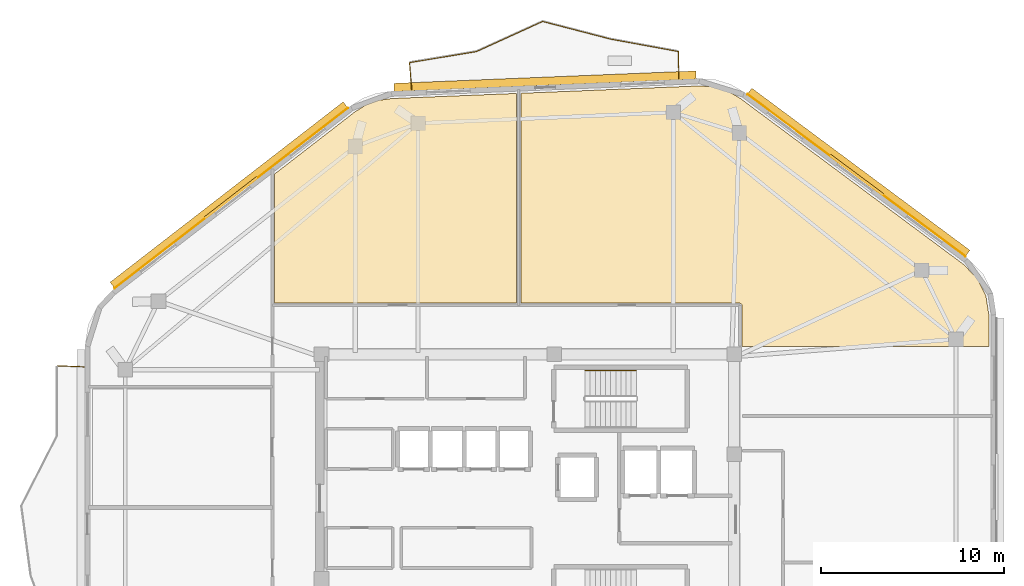
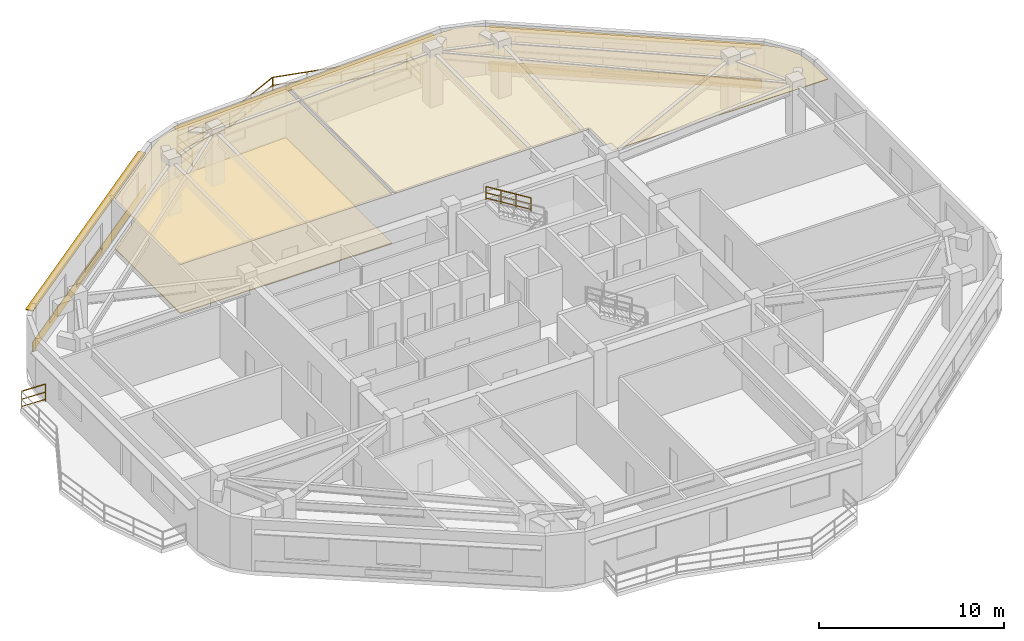
# One storey, part 9 of 9: 8 railings, 5 coverings, 5 shading devices.
"""IFC4 building model written with IfcOpenShell, lengths in metres."""

from ifc_helpers import new_model, si_unit, direction, frame, origin, origin_2d, place, context, subcontext, project, spatial, polyline, rectangle, outline, extrude, material, layer, layer_set, type_object, element, save


model = new_model("IFC4")

# Units and contexts
model_context = context("Model", 3, precision=1e-05, world=origin(), true_north=direction((0.0, 1.0)))
body_context = subcontext(model_context, "Body", "Model", "MODEL_VIEW")
ifc_project = project(units=[si_unit("LENGTHUNIT", "METRE"), si_unit("AREAUNIT", "SQUARE_METRE"), si_unit("VOLUMEUNIT", "CUBIC_METRE"), si_unit("PLANEANGLEUNIT", "RADIAN"), si_unit("MASSUNIT", "GRAM", prefix="KILO")], contexts=[model_context])

# Site, building, storey
site_placement = place(None, origin())
site = spatial("IfcSite", under=ifc_project, at=site_placement, CompositionType="ELEMENT")
building_placement = place(site_placement, origin())
building = spatial("IfcBuilding", under=site, at=building_placement, Name="Zulverin Broadcast Headquarters", CompositionType="ELEMENT")
storey_placement = place(building_placement, frame((0.0, 0.0, 304.800048828125)))
storey = spatial("IfcBuildingStorey", under=building, at=storey_placement, Name="L78", CompositionType="ELEMENT", Elevation=304.800048828125)

# Coverings
ifc_material_1 = material(Name="Perforated pale-metal acoustic baffle ceiling", Category="aluminium")
ifc_layer_1 = layer(ifc_material_1, 0.0400390625, Name="Perforated pale-metal acoustic baffle ceiling", Category="aluminium")
ifc_layer_set_1 = layer_set([ifc_layer_1], Name="Perforated pale-metal acoustic baffle ceiling")
covering_type_1 = type_object("IfcCoveringType", Name="COV-CEIL-ACOU", PredefinedType="CEILING", material=ifc_layer_set_1)
covering_1_placement = place(storey_placement, frame((0.0, 0.0, 3.219970703125)))
element("IfcCovering", 1, at=covering_1_placement, inside=storey, type_object=covering_type_1, Name="L78 Acoustic Baffle Ceiling 01", PredefinedType="CEILING", context=body_context, shape_type="SweptSolid", body=[
    extrude(outline(polyline([(36.3798828125, 35.8720703125), (36.3798828125, 47.33203125), (29.535888671875, 47.052001953125), (28.823974609375, 46.947998046875), (28.16796875, 46.7080078125), (27.555908203125, 46.327880859375), (23.16796875, 42.931884765625), (23.16796875, 35.8720703125), (36.3798828125, 35.8720703125)])), origin(), (0.0, 0.0, 1.0), 0.0400390625),
])
covering_2_placement = place(storey_placement, frame((0.0, 0.0, 3.219970703125)))
element("IfcCovering", 2, at=covering_2_placement, inside=storey, type_object=covering_type_1, Name="L78 Acoustic Baffle Ceiling 02", PredefinedType="CEILING", context=body_context, shape_type="SweptSolid", body=[
    extrude(outline(polyline([(48.60791015625, 47.06396484375), (47.927978515625, 47.4599609375), (47.19189453125, 47.68408203125), (46.404052734375, 47.743896484375), (36.6201171875, 47.340087890625), (36.6201171875, 35.8720703125), (48.56005859375, 35.8720703125), (48.572021484375, 35.8720703125), (48.583984375, 35.867919921875), (48.592041015625, 35.867919921875), (48.60009765625, 35.864013671875), (48.60791015625, 35.864013671875), (48.6201171875, 35.860107421875), (48.6279296875, 35.85595703125), (48.635986328125, 35.85205078125), (48.64794921875, 35.843994140625), (48.659912109375, 35.8359375), (48.66796875, 35.827880859375), (48.676025390625, 35.820068359375), (48.68408203125, 35.81201171875), (48.69189453125, 35.800048828125), (48.699951171875, 35.7880859375), (48.7041015625, 35.780029296875), (48.7080078125, 35.77197265625), (48.7119140625, 35.763916015625), (48.716064453125, 35.751953125), (48.716064453125, 35.743896484375), (48.719970703125, 35.73193359375), (48.719970703125, 35.719970703125), (48.719970703125, 33.5), (62.199951171875, 33.5), (62.199951171875, 35.219970703125), (62.031982421875, 36.2880859375), (61.56005859375, 37.22412109375), (60.803955078125, 37.99609375), (48.60791015625, 47.06396484375)])), origin(), (0.0, 0.0, 1.0), 0.0400390625),
])
ifc_material_2 = material(Name="Brushed pale-aluminium rainscreen cladding", Category="aluminium")
ifc_layer_2 = layer(ifc_material_2, 0.0400390625, Name="Brushed pale-aluminium rainscreen cladding", Category="aluminium")
ifc_layer_set_2 = layer_set([ifc_layer_2], Name="Brushed pale-aluminium rainscreen cladding")
covering_type_2 = type_object("IfcCoveringType", Name="COV-CLAD-PALE", PredefinedType="CLADDING", material=ifc_layer_set_2)
covering_3_placement = place(storey_placement, frame((54.955322265625, 42.8564453125, 0.054931640625), z_axis=(0.0, 0.0, 1.0), x_axis=(-0.802486437986, 0.596670358614, 0.0)))
element("IfcCovering", 3, at=covering_3_placement, inside=storey, type_object=covering_type_2, Name="L78 Brushed Pale-Aluminium Spandrel Cladding 4", PredefinedType="CLADDING", context=body_context, shape_type="SweptSolid", body=[
    extrude(rectangle(XDim=14.84765625, YDim=0.0400390625, at=origin_2d()), origin(), (0.0, 0.0, 1.0), 0.64990234375),
])
covering_4_placement = place(storey_placement, frame((20.795654296875, 41.61328125, 0.054931640625), z_axis=(0.0, 0.0, 1.0), x_axis=(-0.790792140634, -0.612084790132, 0.0)))
element("IfcCovering", 4, at=covering_4_placement, inside=storey, type_object=covering_type_2, Name="L78 Brushed Pale-Aluminium Spandrel Cladding 6", PredefinedType="CLADDING", context=body_context, shape_type="SweptSolid", body=[
    extrude(rectangle(XDim=16.109130859375, YDim=0.0400390625, at=origin_2d()), origin(), (0.0, 0.0, 1.0), 0.64990234375),
])
ifc_material_3 = material(Name="Anti-static broadcast raised access flooring", Category="stone")
ifc_layer_3 = layer(ifc_material_3, 0.050048828125, Name="Anti-static broadcast raised access flooring", Category="stone")
ifc_layer_set_3 = layer_set([ifc_layer_3], Name="Anti-static broadcast raised access flooring")
covering_type_3 = type_object("IfcCoveringType", Name="COV-FLR-RAISED", PredefinedType="FLOORING", material=ifc_layer_set_3)
covering_5_placement = place(storey_placement, origin())
element("IfcCovering", 5, at=covering_5_placement, inside=storey, type_object=covering_type_3, Name="L78 Broadcast Raised Access Flooring 01", PredefinedType="FLOORING", context=body_context, shape_type="SweptSolid", body=[
    extrude(outline(polyline([(36.3798828125, 35.8720703125), (36.3798828125, 47.33203125), (29.535888671875, 47.052001953125), (28.823974609375, 46.947998046875), (28.16796875, 46.7080078125), (27.555908203125, 46.327880859375), (23.16796875, 42.931884765625), (23.16796875, 35.8720703125), (36.3798828125, 35.8720703125)])), origin(), (0.0, 0.0, 1.0), 0.050048828125),
])

# Railings
ifc_material_4 = material(Name="Brushed stainless steel & laminated glass balustrade", Category="steel")
railing_type_1 = type_object("IfcRailingType", Name="RL-GUARD-1150", PredefinedType="GUARDRAIL", material=ifc_material_4)
railing_1_placement = place(storey_placement, frame((45.247314453125, 48.13720703125, 0.0)))
element("IfcRailing", 6, at=railing_1_placement, inside=storey, type_object=railing_type_1, Name="L78 Vertical-Forest Balcony Guardrail BAL_N Segment 01", PredefinedType="GUARDRAIL", context=body_context, shape_type="SweptSolid", body=[
    extrude(rectangle(XDim=0.048095703125, YDim=0.048095703125, at=origin_2d()), frame((0.0, 0.0, 1.1259765625), z_axis=(-0.000499500437, 0.99999987525, 0.0), x_axis=(-0.99999987525, -0.000499500437, 0.0)), (0.0, 0.0, 1.0), 1.46630859375),
    extrude(rectangle(XDim=0.0419921875, YDim=0.0419921875, at=origin_2d()), frame((0.0, 0.0, 0.597900390625), z_axis=(-0.000499500437, 0.99999987525, 0.0), x_axis=(-0.99999987525, -0.000499500437, 0.0)), (0.0, 0.0, 1.0), 1.46630859375),
    extrude(rectangle(XDim=0.0419921875, YDim=0.0419921875, at=origin_2d()), frame((0.0, 0.0, 0.1201171875), z_axis=(-0.000499500437, 0.99999987525, 0.0), x_axis=(-0.99999987525, -0.000499500437, 0.0)), (0.0, 0.0, 1.0), 1.46630859375),
    extrude(rectangle(XDim=0.0419921875, YDim=0.0419921875, at=origin_2d()), origin(), (0.0, 0.0, 1.0), 1.101806640625),
    extrude(rectangle(XDim=0.0419921875, YDim=0.0419921875, at=origin_2d()), frame((-0.000732421875, 1.46630859375, 0.0)), (0.0, 0.0, 1.0), 1.101806640625),
])
railing_2_placement = place(storey_placement, frame((45.231689453125, 49.62109375, 0.0)))
element("IfcRailing", 7, at=railing_2_placement, inside=storey, type_object=railing_type_1, Name="L78 Vertical-Forest Balcony Guardrail BAL_N Segment 02", PredefinedType="GUARDRAIL", context=body_context, shape_type="SweptSolid", body=[
    extrude(rectangle(XDim=0.048095703125, YDim=0.048095703125, at=origin_2d()), frame((0.0, 0.0, 1.1259765625), z_axis=(-0.983606942965, 0.180325765634, 0.0), x_axis=(-0.180325765634, -0.983606942965, 0.0)), (0.0, 0.0, 1.0), 3.743408203125),
    extrude(rectangle(XDim=0.0419921875, YDim=0.0419921875, at=origin_2d()), frame((0.0, 0.0, 0.597900390625), z_axis=(-0.983606942965, 0.180325765634, 0.0), x_axis=(-0.180325765634, -0.983606942965, 0.0)), (0.0, 0.0, 1.0), 3.743408203125),
    extrude(rectangle(XDim=0.0419921875, YDim=0.0419921875, at=origin_2d()), frame((0.0, 0.0, 0.1201171875), z_axis=(-0.983606942965, 0.180325765634, 0.0), x_axis=(-0.180325765634, -0.983606942965, 0.0)), (0.0, 0.0, 1.0), 3.743408203125),
    extrude(rectangle(XDim=0.0419921875, YDim=0.0419921875, at=origin_2d()), origin(), (0.0, 0.0, 1.0), 1.101806640625),
    extrude(rectangle(XDim=0.0419921875, YDim=0.0419921875, at=origin_2d()), frame((-1.841064453125, 0.33740234375, 0.0)), (0.0, 0.0, 1.0), 1.101806640625),
    extrude(rectangle(XDim=0.0419921875, YDim=0.0419921875, at=origin_2d()), frame((-3.68212890625, 0.675048828125, 0.0)), (0.0, 0.0, 1.0), 1.101806640625),
])
railing_3_placement = place(storey_placement, frame((41.520263671875, 50.302734375, 0.0)))
element("IfcRailing", 8, at=railing_3_placement, inside=storey, type_object=railing_type_1, Name="L78 Vertical-Forest Balcony Guardrail BAL_N Segment 03", PredefinedType="GUARDRAIL", context=body_context, shape_type="SweptSolid", body=[
    extrude(rectangle(XDim=0.048095703125, YDim=0.048095703125, at=origin_2d()), frame((0.0, 0.0, 1.1259765625), z_axis=(-0.968002653238, 0.250939959602, 0.0), x_axis=(-0.250939959602, -0.968002653238, 0.0)), (0.0, 0.0, 1.0), 3.816650390625),
    extrude(rectangle(XDim=0.0419921875, YDim=0.0419921875, at=origin_2d()), frame((0.0, 0.0, 0.597900390625), z_axis=(-0.968002653238, 0.250939959602, 0.0), x_axis=(-0.250939959602, -0.968002653238, 0.0)), (0.0, 0.0, 1.0), 3.816650390625),
    extrude(rectangle(XDim=0.0419921875, YDim=0.0419921875, at=origin_2d()), frame((0.0, 0.0, 0.1201171875), z_axis=(-0.968002653238, 0.250939959602, 0.0), x_axis=(-0.250939959602, -0.968002653238, 0.0)), (0.0, 0.0, 1.0), 3.816650390625),
    extrude(rectangle(XDim=0.0419921875, YDim=0.0419921875, at=origin_2d()), origin(), (0.0, 0.0, 1.0), 1.101806640625),
    extrude(rectangle(XDim=0.0419921875, YDim=0.0419921875, at=origin_2d()), frame((-1.84716796875, 0.47900390625, 0.0)), (0.0, 0.0, 1.0), 1.101806640625),
    extrude(rectangle(XDim=0.0419921875, YDim=0.0419921875, at=origin_2d()), frame((-3.694580078125, 0.957763671875, 0.0)), (0.0, 0.0, 1.0), 1.101806640625),
])
railing_4_placement = place(storey_placement, frame((37.79736328125, 51.25830078125, 0.0)))
element("IfcRailing", 9, at=railing_4_placement, inside=storey, type_object=railing_type_1, Name="L78 Vertical-Forest Balcony Guardrail BAL_N Segment 04", PredefinedType="GUARDRAIL", context=body_context, shape_type="SweptSolid", body=[
    extrude(rectangle(XDim=0.048095703125, YDim=0.048095703125, at=origin_2d()), frame((0.0, 0.0, 1.1259765625), z_axis=(-0.910292238075, -0.413966232077, 0.0), x_axis=(0.413966232077, -0.910292238075, 0.0)), (0.0, 0.0, 1.0), 3.942626953125),
    extrude(rectangle(XDim=0.0419921875, YDim=0.0419921875, at=origin_2d()), frame((0.0, 0.0, 0.597900390625), z_axis=(-0.910292238075, -0.413966232077, 0.0), x_axis=(0.413966232077, -0.910292238075, 0.0)), (0.0, 0.0, 1.0), 3.942626953125),
    extrude(rectangle(XDim=0.0419921875, YDim=0.0419921875, at=origin_2d()), frame((0.0, 0.0, 0.1201171875), z_axis=(-0.910292238075, -0.413966232077, 0.0), x_axis=(0.413966232077, -0.910292238075, 0.0)), (0.0, 0.0, 1.0), 3.942626953125),
    extrude(rectangle(XDim=0.0419921875, YDim=0.0419921875, at=origin_2d()), origin(), (0.0, 0.0, 1.0), 1.101806640625),
    extrude(rectangle(XDim=0.0419921875, YDim=0.0419921875, at=origin_2d()), frame((-1.79443359375, -0.81591796875, 0.0)), (0.0, 0.0, 1.0), 1.101806640625),
    extrude(rectangle(XDim=0.0419921875, YDim=0.0419921875, at=origin_2d()), frame((-3.5888671875, -1.632080078125, 0.0)), (0.0, 0.0, 1.0), 1.101806640625),
])
railing_5_placement = place(storey_placement, frame((34.179931640625, 49.617431640625, 0.0)))
element("IfcRailing", 10, at=railing_5_placement, inside=storey, type_object=railing_type_1, Name="L78 Vertical-Forest Balcony Guardrail BAL_N Segment 05", PredefinedType="GUARDRAIL", context=body_context, shape_type="SweptSolid", body=[
    extrude(rectangle(XDim=0.048095703125, YDim=0.048095703125, at=origin_2d()), frame((0.0, 0.0, 1.1259765625), z_axis=(-0.986551305382, -0.163451894602, 0.0), x_axis=(0.163451894602, -0.986551305382, 0.0)), (0.0, 0.0, 1.0), 3.678955078125),
    extrude(rectangle(XDim=0.0419921875, YDim=0.0419921875, at=origin_2d()), frame((0.0, 0.0, 0.597900390625), z_axis=(-0.986551305382, -0.163451894602, 0.0), x_axis=(0.163451894602, -0.986551305382, 0.0)), (0.0, 0.0, 1.0), 3.678955078125),
    extrude(rectangle(XDim=0.0419921875, YDim=0.0419921875, at=origin_2d()), frame((0.0, 0.0, 0.1201171875), z_axis=(-0.986551305382, -0.163451894602, 0.0), x_axis=(0.163451894602, -0.986551305382, 0.0)), (0.0, 0.0, 1.0), 3.678955078125),
    extrude(rectangle(XDim=0.0419921875, YDim=0.0419921875, at=origin_2d()), origin(), (0.0, 0.0, 1.0), 1.101806640625),
    extrude(rectangle(XDim=0.0419921875, YDim=0.0419921875, at=origin_2d()), frame((-1.814697265625, -0.30078125, 0.0)), (0.0, 0.0, 1.0), 1.101806640625),
    extrude(rectangle(XDim=0.0419921875, YDim=0.0419921875, at=origin_2d()), frame((-3.62939453125, -0.601318359375, 0.0)), (0.0, 0.0, 1.0), 1.101806640625),
])
railing_6_placement = place(storey_placement, frame((30.537109375, 48.998779296875, 0.0)))
element("IfcRailing", 11, at=railing_6_placement, inside=storey, type_object=railing_type_1, Name="L78 Vertical-Forest Balcony Guardrail BAL_N Segment 06", PredefinedType="GUARDRAIL", context=body_context, shape_type="SweptSolid", body=[
    extrude(rectangle(XDim=0.048095703125, YDim=0.048095703125, at=origin_2d()), frame((0.0, 0.0, 1.1259765625), z_axis=(0.081419392862, -0.9966799298, 0.0), x_axis=(0.9966799298, 0.081419392862, 0.0)), (0.0, 0.0, 1.0), 1.46630859375),
    extrude(rectangle(XDim=0.0419921875, YDim=0.0419921875, at=origin_2d()), frame((0.0, 0.0, 0.597900390625), z_axis=(0.081419392862, -0.9966799298, 0.0), x_axis=(0.9966799298, 0.081419392862, 0.0)), (0.0, 0.0, 1.0), 1.46630859375),
    extrude(rectangle(XDim=0.0419921875, YDim=0.0419921875, at=origin_2d()), frame((0.0, 0.0, 0.1201171875), z_axis=(0.081419392862, -0.9966799298, 0.0), x_axis=(0.9966799298, 0.081419392862, 0.0)), (0.0, 0.0, 1.0), 1.46630859375),
    extrude(rectangle(XDim=0.0419921875, YDim=0.0419921875, at=origin_2d()), origin(), (0.0, 0.0, 1.0), 1.101806640625),
    extrude(rectangle(XDim=0.0419921875, YDim=0.0419921875, at=origin_2d()), frame((0.119384765625, -1.46142578125, 0.0)), (0.0, 0.0, 1.0), 1.101806640625),
])
railing_7_placement = place(storey_placement, frame((12.760009765625, 32.387939453125, 0.0)))
element("IfcRailing", 12, at=railing_7_placement, inside=storey, type_object=railing_type_1, Name="L78 Vertical-Forest Balcony Guardrail BAL_W Segment 01", PredefinedType="GUARDRAIL", context=body_context, shape_type="SweptSolid", body=[
    extrude(rectangle(XDim=0.048095703125, YDim=0.048095703125, at=origin_2d()), frame((0.0, 0.0, 1.1259765625), z_axis=(-0.999174410196, 0.040626321628, 0.0), x_axis=(-0.040626321628, -0.999174410196, 0.0)), (0.0, 0.0, 1.0), 1.46630859375),
    extrude(rectangle(XDim=0.0419921875, YDim=0.0419921875, at=origin_2d()), frame((0.0, 0.0, 0.597900390625), z_axis=(-0.999174410196, 0.040626321628, 0.0), x_axis=(-0.040626321628, -0.999174410196, 0.0)), (0.0, 0.0, 1.0), 1.46630859375),
    extrude(rectangle(XDim=0.0419921875, YDim=0.0419921875, at=origin_2d()), frame((0.0, 0.0, 0.1201171875), z_axis=(-0.999174410196, 0.040626321628, 0.0), x_axis=(-0.040626321628, -0.999174410196, 0.0)), (0.0, 0.0, 1.0), 1.46630859375),
    extrude(rectangle(XDim=0.0419921875, YDim=0.0419921875, at=origin_2d()), origin(), (0.0, 0.0, 1.0), 1.101806640625),
    extrude(rectangle(XDim=0.0419921875, YDim=0.0419921875, at=origin_2d()), frame((-1.465087890625, 0.0595703125, 0.0)), (0.0, 0.0, 1.0), 1.101806640625),
])
ifc_material_5 = material(Name="Brushed stainless steel 48 mm handrail", Category="steel")
railing_type_2 = type_object("IfcRailingType", Name="RL-ST-HAND", PredefinedType="HANDRAIL", material=ifc_material_5)
railing_8_placement = place(storey_placement, frame((42.929931640625, 32.199951171875, 2.07275390625)))
element("IfcRailing", 13, at=railing_8_placement, inside=storey, type_object=railing_type_2, Name="L78 ST-1 stair handrail 2", PredefinedType="HANDRAIL", context=body_context, shape_type="SweptSolid", body=[
    extrude(rectangle(XDim=0.048095703125, YDim=0.048095703125, at=origin_2d()), frame((0.0, 0.0, 0.8759765625), z_axis=(-0.851089632645, 0.0, 0.525020415988), x_axis=(0.0, -1.0, 0.0)), (0.0, 0.0, 1.0), 3.2900390625),
    extrude(rectangle(XDim=0.0419921875, YDim=0.0419921875, at=origin_2d()), frame((0.0, 0.0, 0.468017578125), z_axis=(-0.851089632645, 0.0, 0.525020415988), x_axis=(0.0, -1.0, 0.0)), (0.0, 0.0, 1.0), 3.2900390625),
    extrude(rectangle(XDim=0.0419921875, YDim=0.0419921875, at=origin_2d()), frame((0.0, 0.0, 0.1201171875), z_axis=(-0.851089632645, 0.0, 0.525020415988), x_axis=(0.0, -1.0, 0.0)), (0.0, 0.0, 1.0), 3.2900390625),
    extrude(rectangle(XDim=0.0419921875, YDim=0.0419921875, at=origin_2d()), origin(), (0.0, 0.0, 1.0), 0.851806640625),
    extrude(rectangle(XDim=0.0419921875, YDim=0.0419921875, at=origin_2d()), frame((-0.933349609375, 0.0, 0.57568359375)), (0.0, 0.0, 1.0), 0.851806640625),
    extrude(rectangle(XDim=0.0419921875, YDim=0.0419921875, at=origin_2d()), frame((-1.86669921875, 0.0, 1.151611328125)), (0.0, 0.0, 1.0), 0.851806640625),
    extrude(rectangle(XDim=0.0419921875, YDim=0.0419921875, at=origin_2d()), frame((-2.800048828125, 0.0, 1.727294921875)), (0.0, 0.0, 1.0), 0.851806640625),
])

# Shading devices
ifc_material_6 = material(Name="Anodized pale-metal aluminium acoustic louvre", Category="aluminium")
shading_device_type_1 = type_object("IfcShadingDeviceType", Name="SHD-LOUVRE-350", PredefinedType="USERDEFINED", material=ifc_material_6)
for number, where, z_axis, x_axis, name in (
    (14, (54.973388671875, 42.880615234375, 0.244873046875), (0.0, 0.0, 1.0), (-0.802486437986, 0.596670358614, 0.0), "L78 Spandrel Intake Louvre 4"),
    (15, (20.77734375, 41.63720703125, 0.244873046875), (0.0, 0.0, 1.0), (-0.790792140634, -0.612084790132, 0.0), "L78 Spandrel Intake Louvre 6"),
):
    element("IfcShadingDevice", number, at=place(storey_placement, frame(where, z_axis=z_axis, x_axis=x_axis)), inside=storey, type_object=shading_device_type_1, Name=name, ObjectType="LOUVRE", PredefinedType="USERDEFINED", context=body_context, shape_type="SweptSolid", body=[
        extrude(rectangle(XDim=3.60009765625, YDim=0.1201171875, at=origin_2d()), origin(), (0.0, 0.0, 1.0), 0.35009765625),
    ])
ifc_material_7 = material(Name="Anodized pale-metal aluminium sunshade", Category="aluminium")
ifc_layer_4 = layer(ifc_material_7, 0.06005859375, Name="Anodized pale-metal aluminium sunshade", Category="aluminium")
ifc_layer_set_4 = layer_set([ifc_layer_4], Name="Anodized pale-metal aluminium sunshade")
shading_device_type_2 = type_object("IfcShadingDeviceType", Name="SS-01_PALE_METAL_ALUMINIUM_SUNSHADE", PredefinedType="USERDEFINED", material=ifc_layer_set_4)
shading_device_1_placement = place(storey_placement, frame((55.068603515625, 43.009033203125, 2.7099609375), z_axis=(0.0, 0.0, 1.0), x_axis=(-0.802486437986, 0.596670358614, 0.0)))
element("IfcShadingDevice", 16, at=shading_device_1_placement, inside=storey, type_object=shading_device_type_2, Name="L78 Horizontal Pale-Metal Sunshade Band 4", ObjectType="SUNSHADE", PredefinedType="USERDEFINED", context=body_context, shape_type="SweptSolid", body=[
    extrude(rectangle(XDim=14.84765625, YDim=0.449951171875, at=origin_2d()), origin(), (0.0, 0.0, 1.0), 0.06005859375),
])
shading_device_2_placement = place(storey_placement, frame((37.9453125, 47.9970703125, 2.7099609375), z_axis=(0.0, 0.0, 1.0), x_axis=(-0.999156343069, -0.041068261531, 0.0)))
element("IfcShadingDevice", 17, at=shading_device_2_placement, inside=storey, type_object=shading_device_type_2, Name="L78 Horizontal Pale-Metal Sunshade Band 5", ObjectType="SUNSHADE", PredefinedType="USERDEFINED", context=body_context, shape_type="SweptSolid", body=[
    extrude(rectangle(XDim=16.523193359375, YDim=0.449951171875, at=origin_2d()), origin(), (0.0, 0.0, 1.0), 0.06005859375),
])
shading_device_3_placement = place(storey_placement, frame((20.67919921875, 41.763671875, 2.7099609375), z_axis=(0.0, 0.0, 1.0), x_axis=(-0.790792140634, -0.612084790132, 0.0)))
element("IfcShadingDevice", 18, at=shading_device_3_placement, inside=storey, type_object=shading_device_type_2, Name="L78 Horizontal Pale-Metal Sunshade Band 6", ObjectType="SUNSHADE", PredefinedType="USERDEFINED", context=body_context, shape_type="SweptSolid", body=[
    extrude(rectangle(XDim=16.109130859375, YDim=0.449951171875, at=origin_2d()), origin(), (0.0, 0.0, 1.0), 0.06005859375),
])

save(model, "model.ifc")
